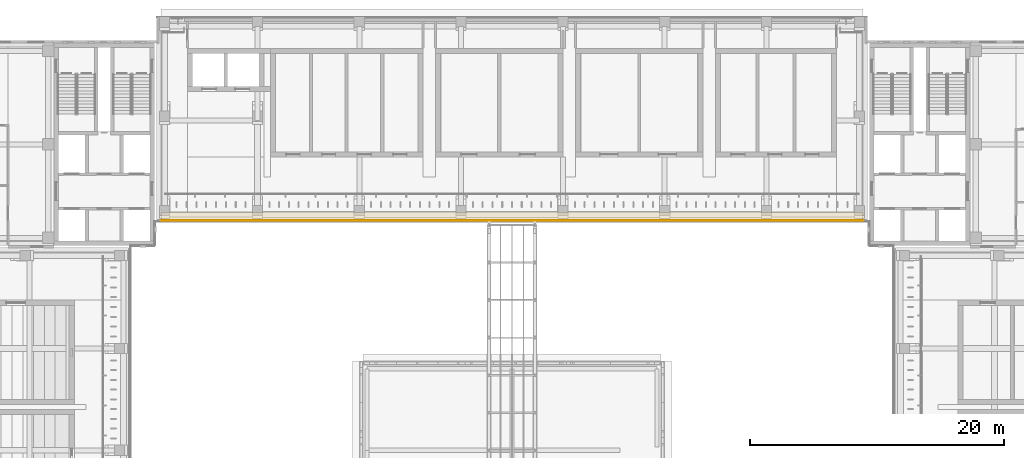
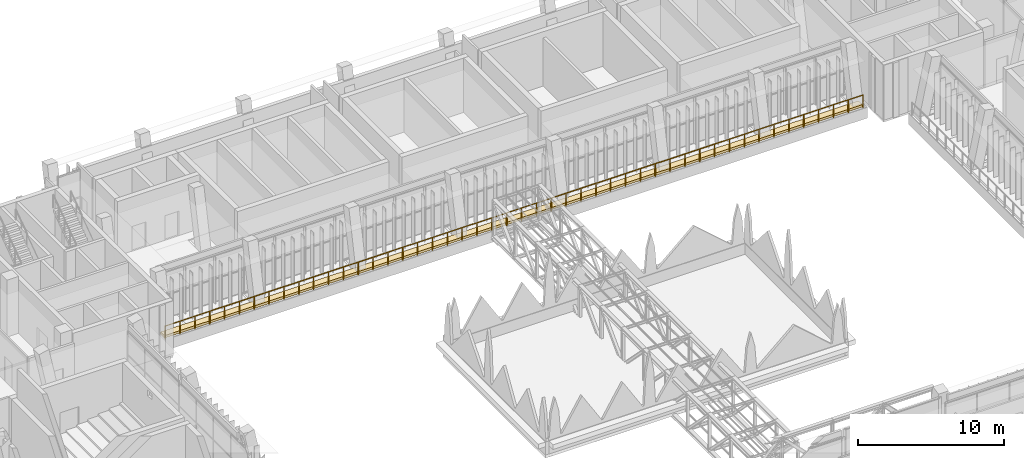
# One storey, part 133 of 141: 1 covering, 1 railing.
"""IFC4 building model written with IfcOpenShell, lengths in metres."""

from ifc_helpers import new_model, si_unit, direction, frame, origin, origin_2d, place, context, subcontext, project, spatial, polyline, circle, outline, extrude, material, layer, layer_set, type_object, element, save


model = new_model("IFC4")

# Units and contexts
model_context = context("Model", 3, precision=1e-05, world=origin(), true_north=direction((0.0, 1.0)))
body_context = subcontext(model_context, "Body", "Model", "MODEL_VIEW")
ifc_project = project(units=[si_unit("LENGTHUNIT", "METRE"), si_unit("AREAUNIT", "SQUARE_METRE"), si_unit("VOLUMEUNIT", "CUBIC_METRE"), si_unit("PLANEANGLEUNIT", "RADIAN"), si_unit("MASSUNIT", "GRAM", prefix="KILO")], contexts=[model_context])

# Site, building, storey
site_placement = place(None, origin())
site = spatial("IfcSite", under=ifc_project, at=site_placement, CompositionType="ELEMENT")
building_placement = place(site_placement, origin())
building = spatial("IfcBuilding", under=site, at=building_placement, Name="Lantern Court Media Centre", CompositionType="ELEMENT")
storey_placement = place(building_placement, frame((0.0, 0.0, 9.60009765625)))
storey = spatial("IfcBuildingStorey", under=building, at=storey_placement, Name="L02", CompositionType="ELEMENT", Elevation=9.60009765625)

# Railing
ifc_material_1 = material(Name="Painted mild steel balustrade", Category="steel")
railing_type = type_object("IfcRailingType", Name="Guard 1100 steel balustrade", PredefinedType="GUARDRAIL", material=ifc_material_1)
railing_placement = place(storey_placement, frame((24.39990234375, 98.050048828125, 0.0)))
element("IfcRailing", 1, at=railing_placement, inside=storey, type_object=railing_type, Name="Ledge guard N L02", PredefinedType="GUARDRAIL", context=body_context, shape_type="SweptSolid", body=[
    extrude(circle(Radius=0.02392578125, at=origin_2d()), frame((0.0, 0.0, 1.076171875), z_axis=(1.0, 0.0, 0.0), x_axis=(0.0, 1.0, 0.0)), (0.0, 0.0, 1.0), 55.2001953125),
    extrude(circle(Radius=0.02099609375, at=origin_2d()), origin(), (0.0, 0.0, 1.0), 1.052001953125),
    extrude(circle(Radius=0.02099609375, at=origin_2d()), frame((1.174560546875, 0.0, 0.0)), (0.0, 0.0, 1.0), 1.052001953125),
    extrude(circle(Radius=0.02099609375, at=origin_2d()), frame((2.348876953125, 0.0, 0.0)), (0.0, 0.0, 1.0), 1.052001953125),
    extrude(circle(Radius=0.02099609375, at=origin_2d()), frame((3.5234375, 0.0, 0.0)), (0.0, 0.0, 1.0), 1.052001953125),
    extrude(circle(Radius=0.02099609375, at=origin_2d()), frame((4.697998046875, 0.0, 0.0)), (0.0, 0.0, 1.0), 1.052001953125),
    extrude(circle(Radius=0.02099609375, at=origin_2d()), frame((5.872314453125, 0.0, 0.0)), (0.0, 0.0, 1.0), 1.052001953125),
    extrude(circle(Radius=0.02099609375, at=origin_2d()), frame((7.046875, 0.0, 0.0)), (0.0, 0.0, 1.0), 1.052001953125),
    extrude(circle(Radius=0.02099609375, at=origin_2d()), frame((8.22119140625, 0.0, 0.0)), (0.0, 0.0, 1.0), 1.052001953125),
    extrude(circle(Radius=0.02099609375, at=origin_2d()), frame((9.395751953125, 0.0, 0.0)), (0.0, 0.0, 1.0), 1.052001953125),
    extrude(circle(Radius=0.02099609375, at=origin_2d()), frame((10.5703125, 0.0, 0.0)), (0.0, 0.0, 1.0), 1.052001953125),
    extrude(circle(Radius=0.02099609375, at=origin_2d()), frame((11.74462890625, 0.0, 0.0)), (0.0, 0.0, 1.0), 1.052001953125),
    extrude(circle(Radius=0.02099609375, at=origin_2d()), frame((12.919189453125, 0.0, 0.0)), (0.0, 0.0, 1.0), 1.052001953125),
    extrude(circle(Radius=0.02099609375, at=origin_2d()), frame((14.09375, 0.0, 0.0)), (0.0, 0.0, 1.0), 1.052001953125),
    extrude(circle(Radius=0.02099609375, at=origin_2d()), frame((15.26806640625, 0.0, 0.0)), (0.0, 0.0, 1.0), 1.052001953125),
    extrude(circle(Radius=0.02099609375, at=origin_2d()), frame((16.442626953125, 0.0, 0.0)), (0.0, 0.0, 1.0), 1.052001953125),
    extrude(circle(Radius=0.02099609375, at=origin_2d()), frame((17.6171875, 0.0, 0.0)), (0.0, 0.0, 1.0), 1.052001953125),
    extrude(circle(Radius=0.02099609375, at=origin_2d()), frame((18.79150390625, 0.0, 0.0)), (0.0, 0.0, 1.0), 1.052001953125),
    extrude(circle(Radius=0.02099609375, at=origin_2d()), frame((19.966064453125, 0.0, 0.0)), (0.0, 0.0, 1.0), 1.052001953125),
    extrude(circle(Radius=0.02099609375, at=origin_2d()), frame((21.140380859375, 0.0, 0.0)), (0.0, 0.0, 1.0), 1.052001953125),
    extrude(circle(Radius=0.02099609375, at=origin_2d()), frame((22.31494140625, 0.0, 0.0)), (0.0, 0.0, 1.0), 1.052001953125),
    extrude(circle(Radius=0.02099609375, at=origin_2d()), frame((23.489501953125, 0.0, 0.0)), (0.0, 0.0, 1.0), 1.052001953125),
    extrude(circle(Radius=0.02099609375, at=origin_2d()), frame((24.663818359375, 0.0, 0.0)), (0.0, 0.0, 1.0), 1.052001953125),
    extrude(circle(Radius=0.02099609375, at=origin_2d()), frame((25.83837890625, 0.0, 0.0)), (0.0, 0.0, 1.0), 1.052001953125),
    extrude(circle(Radius=0.02099609375, at=origin_2d()), frame((27.012939453125, 0.0, 0.0)), (0.0, 0.0, 1.0), 1.052001953125),
    extrude(circle(Radius=0.02099609375, at=origin_2d()), frame((28.187255859375, 0.0, 0.0)), (0.0, 0.0, 1.0), 1.052001953125),
    extrude(circle(Radius=0.02099609375, at=origin_2d()), frame((29.36181640625, 0.0, 0.0)), (0.0, 0.0, 1.0), 1.052001953125),
    extrude(circle(Radius=0.02099609375, at=origin_2d()), frame((30.536376953125, 0.0, 0.0)), (0.0, 0.0, 1.0), 1.052001953125),
    extrude(circle(Radius=0.02099609375, at=origin_2d()), frame((31.710693359375, 0.0, 0.0)), (0.0, 0.0, 1.0), 1.052001953125),
    extrude(circle(Radius=0.02099609375, at=origin_2d()), frame((32.88525390625, 0.0, 0.0)), (0.0, 0.0, 1.0), 1.052001953125),
    extrude(circle(Radius=0.02099609375, at=origin_2d()), frame((34.059814453125, 0.0, 0.0)), (0.0, 0.0, 1.0), 1.052001953125),
    extrude(circle(Radius=0.02099609375, at=origin_2d()), frame((35.234130859375, 0.0, 0.0)), (0.0, 0.0, 1.0), 1.052001953125),
    extrude(circle(Radius=0.02099609375, at=origin_2d()), frame((36.40869140625, 0.0, 0.0)), (0.0, 0.0, 1.0), 1.052001953125),
    extrude(circle(Radius=0.02099609375, at=origin_2d()), frame((37.5830078125, 0.0, 0.0)), (0.0, 0.0, 1.0), 1.052001953125),
    extrude(circle(Radius=0.02099609375, at=origin_2d()), frame((38.757568359375, 0.0, 0.0)), (0.0, 0.0, 1.0), 1.052001953125),
    extrude(circle(Radius=0.02099609375, at=origin_2d()), frame((39.93212890625, 0.0, 0.0)), (0.0, 0.0, 1.0), 1.052001953125),
    extrude(circle(Radius=0.02099609375, at=origin_2d()), frame((41.1064453125, 0.0, 0.0)), (0.0, 0.0, 1.0), 1.052001953125),
    extrude(circle(Radius=0.02099609375, at=origin_2d()), frame((42.281005859375, 0.0, 0.0)), (0.0, 0.0, 1.0), 1.052001953125),
    extrude(circle(Radius=0.02099609375, at=origin_2d()), frame((43.45556640625, 0.0, 0.0)), (0.0, 0.0, 1.0), 1.052001953125),
    extrude(circle(Radius=0.02099609375, at=origin_2d()), frame((44.6298828125, 0.0, 0.0)), (0.0, 0.0, 1.0), 1.052001953125),
    extrude(circle(Radius=0.02099609375, at=origin_2d()), frame((45.804443359375, 0.0, 0.0)), (0.0, 0.0, 1.0), 1.052001953125),
    extrude(circle(Radius=0.02099609375, at=origin_2d()), frame((46.97900390625, 0.0, 0.0)), (0.0, 0.0, 1.0), 1.052001953125),
    extrude(circle(Radius=0.02099609375, at=origin_2d()), frame((48.1533203125, 0.0, 0.0)), (0.0, 0.0, 1.0), 1.052001953125),
    extrude(circle(Radius=0.02099609375, at=origin_2d()), frame((49.327880859375, 0.0, 0.0)), (0.0, 0.0, 1.0), 1.052001953125),
    extrude(circle(Radius=0.02099609375, at=origin_2d()), frame((50.502197265625, 0.0, 0.0)), (0.0, 0.0, 1.0), 1.052001953125),
    extrude(circle(Radius=0.02099609375, at=origin_2d()), frame((51.6767578125, 0.0, 0.0)), (0.0, 0.0, 1.0), 1.052001953125),
    extrude(circle(Radius=0.02099609375, at=origin_2d()), frame((52.851318359375, 0.0, 0.0)), (0.0, 0.0, 1.0), 1.052001953125),
    extrude(circle(Radius=0.02099609375, at=origin_2d()), frame((54.025634765625, 0.0, 0.0)), (0.0, 0.0, 1.0), 1.052001953125),
    extrude(circle(Radius=0.02099609375, at=origin_2d()), frame((55.2001953125, 0.0, 0.0)), (0.0, 0.0, 1.0), 1.052001953125),
])

# Covering
ifc_material_2 = material(Name="Planting substrate")
ifc_layer = layer(ifc_material_2, 0.199951171875)
ifc_layer_set = layer_set([ifc_layer], Name="Planting substrate")
covering_type = type_object("IfcCoveringType", Name="Planted ledge build-up 200", PredefinedType="ROOFING", material=ifc_layer_set)
covering_placement = place(storey_placement, origin())
element("IfcCovering", 2, at=covering_placement, inside=storey, type_object=covering_type, Name="Planted ledge N L02", PredefinedType="ROOFING", context=body_context, shape_type="SweptSolid", body=[
    extrude(outline(polyline([(24.39990234375, 98.14990234375), (79.60009765625, 98.14990234375), (79.60009765625, 98.679931640625), (24.39990234375, 98.679931640625), (24.39990234375, 98.14990234375)])), origin(), (0.0, 0.0, 1.0), 0.199951171875),
])

save(model, "model.ifc")
